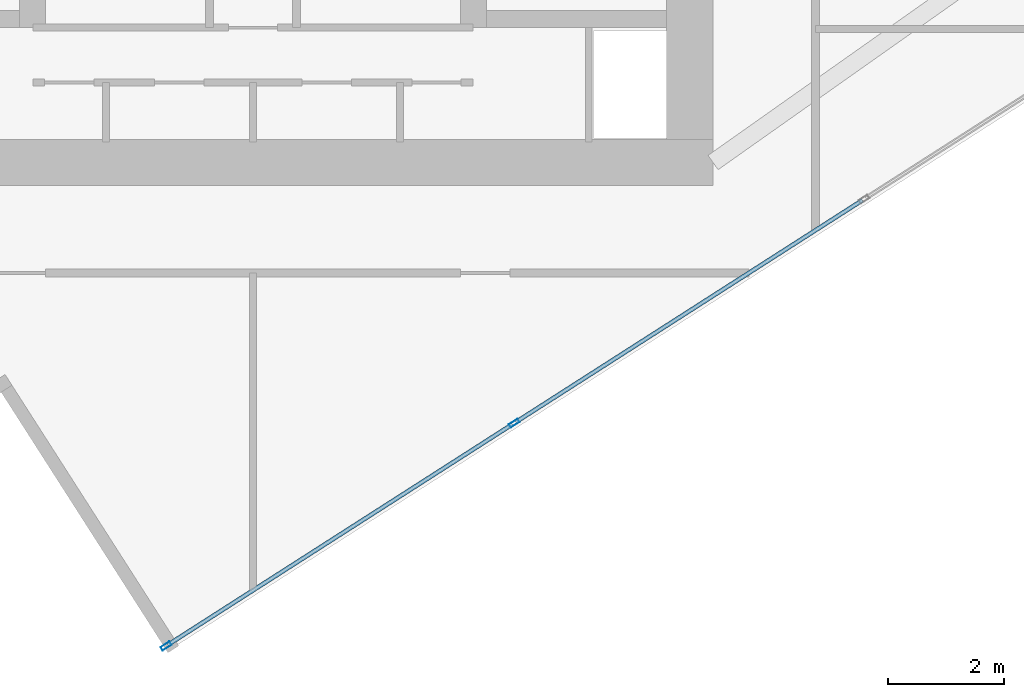
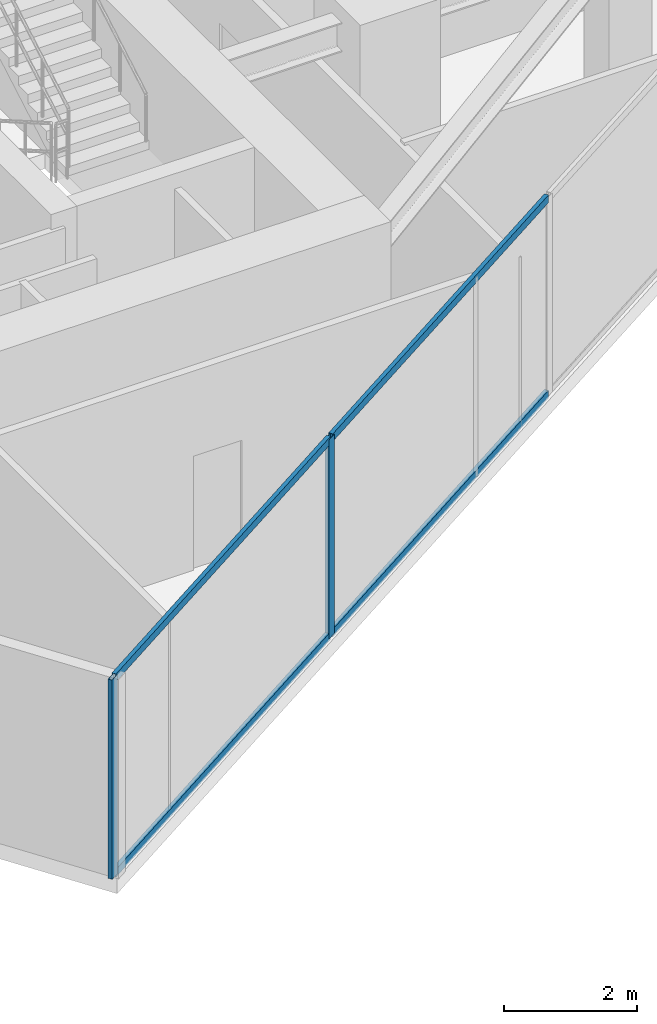
# One storey, part 3 of 20: 6 members, 1 element without a shape of its own.
"""IFC4 building model written with IfcOpenShell, lengths in metres."""

from ifc_helpers import new_model, si_unit, direction, frame, origin, origin_2d, place, context, subcontext, project, spatial, hollow_rectangle, extrude, source, transform, mapped, material, material_profile, profile_set, type_object, type_shapes, element, aggregate, save


model = new_model("IFC4")

# Units and contexts
model_context = context("Model", 3, precision=1e-05, world=origin(), true_north=direction((0.0, 1.0)))
body_context = subcontext(model_context, "Body", "Model", "MODEL_VIEW")
ifc_project = project(units=[si_unit("LENGTHUNIT", "METRE"), si_unit("AREAUNIT", "SQUARE_METRE"), si_unit("VOLUMEUNIT", "CUBIC_METRE"), si_unit("PLANEANGLEUNIT", "RADIAN"), si_unit("MASSUNIT", "GRAM", prefix="KILO")], contexts=[model_context])

# Site, building, storey
site_placement = place(None, origin())
site = spatial("IfcSite", under=ifc_project, at=site_placement, CompositionType="ELEMENT")
building_placement = place(site_placement, origin())
building = spatial("IfcBuilding", under=site, at=building_placement, Name="Krantzveldt Concourse Tower", CompositionType="ELEMENT")
storey_placement = place(building_placement, frame((0.0, 0.0, 287.14990234375)))
storey = spatial("IfcBuildingStorey", under=building, at=storey_placement, Name="L70", CompositionType="ELEMENT", Elevation=287.14990234375)

# Curtain wall, members
ifc_material = material(Name="Anodised aluminium 6063-T6", Category="aluminium")
curtain_wall_type = type_object("IfcCurtainWallType", Name="CW4", PredefinedType="USERDEFINED", material=ifc_material)
curtain_wall_placement = place(storey_placement, origin())
curtain_wall = element("IfcCurtainWall", 1, at=curtain_wall_placement, inside=storey, type_object=curtain_wall_type, Name="CW-L70-F07", ObjectType="UNITISED CURTAIN WALL", PredefinedType="USERDEFINED")
ifc_material_profile_1 = material_profile(ifc_material, hollow_rectangle(XDim=0.070068359375, YDim=0.179931640625, WallThickness=0.0048828125, at=origin_2d()), Name="Anodised aluminium 6063-T6", Category="aluminium")
ifc_profile_set_1 = profile_set([ifc_material_profile_1], Name="Anodised aluminium 6063-T6 - ALU-MULL 180x70x5")
member_type_1 = type_object("IfcMemberType", Name="CW-MUL-180", PredefinedType="MULLION", material=ifc_profile_set_1)
shared_shape_1 = source(origin(), body_context, "Body", "SweptSolid", [
    extrude(hollow_rectangle(XDim=0.070068359375, YDim=0.179931640625, WallThickness=0.0048828125, at=origin_2d()), origin(), (0.0, 0.0, 1.0), 3.670166015625),
])
type_shapes(member_type_1, [shared_shape_1])
member_1_placement = place(storey_placement, frame((34.50439453125, 2.57763671875, 0.0), z_axis=(0.0, 0.0, 1.0), x_axis=(-0.53913830827, 0.842217243088, 0.0)))
member_1 = element("IfcMember", 2, at=member_1_placement, type_object=member_type_1, Name="CW-Z56 mullion 1", PredefinedType="MULLION", context=body_context, shape_type="MappedRepresentation", body=[
    mapped(shared_shape_1, transform((0.0, 0.0, 0.0), x_axis=(1.0, 0.0, 0.0), y_axis=(0.0, 1.0, 0.0), z_axis=(0.0, 0.0, 1.0), scale=1.0)),
])
member_2_placement = place(storey_placement, frame((40.496826171875, 6.41357421875, 0.0), z_axis=(0.0, 0.0, 1.0), x_axis=(-0.53913830827, 0.842217243088, 0.0)))
member_2 = element("IfcMember", 3, at=member_2_placement, type_object=member_type_1, Name="CW-Z56 mullion 2", PredefinedType="MULLION", context=body_context, shape_type="MappedRepresentation", body=[
    mapped(shared_shape_1, transform((0.0, 0.0, 0.0), x_axis=(1.0, 0.0, 0.0), y_axis=(0.0, 1.0, 0.0), z_axis=(0.0, 0.0, 1.0), scale=1.0)),
])
ifc_material_profile_2 = material_profile(ifc_material, hollow_rectangle(XDim=0.070068359375, YDim=0.139892578125, WallThickness=0.0048828125, at=origin_2d()), Name="Anodised aluminium 6063-T6", Category="aluminium")
ifc_profile_set_2 = profile_set([ifc_material_profile_2], Name="Anodised aluminium 6063-T6 - ALU-TRAN 140x70x5")
member_type_2 = type_object("IfcMemberType", Name="CW-TRN-150", PredefinedType="USERDEFINED", material=ifc_profile_set_2)
shared_shape_2 = source(origin(), body_context, "Body", "SweptSolid", [
    extrude(hollow_rectangle(XDim=0.070068359375, YDim=0.139892578125, WallThickness=0.0048828125, at=origin_2d()), origin(), (0.0, 0.0, 1.0), 7.044921875),
])
member_3_placement = place(storey_placement, frame((34.533935546875, 2.596435546875, 0.03515625), z_axis=(0.842222935186, 0.539129416232, 0.0), x_axis=(-0.539129416232, 0.842222935186, 0.0)))
member_3 = element("IfcMember", 4, at=member_3_placement, type_object=member_type_2, Name="CW-Z56 transom 1.1", ObjectType="TRANSOM", PredefinedType="USERDEFINED", context=body_context, shape_type="MappedRepresentation", body=[
    mapped(shared_shape_2, transform((0.0, 0.0, 0.0), x_axis=(1.0, 0.0, 0.0), y_axis=(0.0, 1.0, 0.0), z_axis=(0.0, 0.0, 1.0), scale=1.0)),
])
member_4_placement = place(storey_placement, frame((34.533935546875, 2.596435546875, 3.635009765625), z_axis=(0.842222935186, 0.539129416232, 0.0), x_axis=(-0.539129416232, 0.842222935186, 0.0)))
member_4 = element("IfcMember", 5, at=member_4_placement, type_object=member_type_2, Name="CW-Z56 transom 1.2", ObjectType="TRANSOM", PredefinedType="USERDEFINED", context=body_context, shape_type="MappedRepresentation", body=[
    mapped(shared_shape_2, transform((0.0, 0.0, 0.0), x_axis=(1.0, 0.0, 0.0), y_axis=(0.0, 1.0, 0.0), z_axis=(0.0, 0.0, 1.0), scale=1.0)),
])
shared_shape_3 = source(origin(), body_context, "Body", "SweptSolid", [
    extrude(hollow_rectangle(XDim=0.070068359375, YDim=0.139892578125, WallThickness=0.0048828125, at=origin_2d()), origin(), (0.0, 0.0, 1.0), 7.080078125),
])
type_shapes(member_type_2, [shared_shape_2, shared_shape_3])
member_5_placement = place(storey_placement, frame((40.526123046875, 6.432373046875, 0.03515625), z_axis=(0.842214406915, 0.539142738786, 0.0), x_axis=(-0.539142738786, 0.842214406915, 0.0)))
member_5 = element("IfcMember", 6, at=member_5_placement, type_object=member_type_2, Name="CW-Z56 transom 2.1", ObjectType="TRANSOM", PredefinedType="USERDEFINED", context=body_context, shape_type="MappedRepresentation", body=[
    mapped(shared_shape_3, transform((0.0, 0.0, 0.0), x_axis=(1.0, 0.0, 0.0), y_axis=(0.0, 1.0, 0.0), z_axis=(0.0, 0.0, 1.0), scale=1.0)),
])
member_6_placement = place(storey_placement, frame((40.526123046875, 6.432373046875, 3.635009765625), z_axis=(0.842214406915, 0.539142738786, 0.0), x_axis=(-0.539142738786, 0.842214406915, 0.0)))
member_6 = element("IfcMember", 7, at=member_6_placement, type_object=member_type_2, Name="CW-Z56 transom 2.2", ObjectType="TRANSOM", PredefinedType="USERDEFINED", context=body_context, shape_type="MappedRepresentation", body=[
    mapped(shared_shape_3, transform((0.0, 0.0, 0.0), x_axis=(1.0, 0.0, 0.0), y_axis=(0.0, 1.0, 0.0), z_axis=(0.0, 0.0, 1.0), scale=1.0)),
])
aggregate(curtain_wall, [member_1, member_2, member_3, member_4, member_5, member_6])

save(model, "model.ifc")
